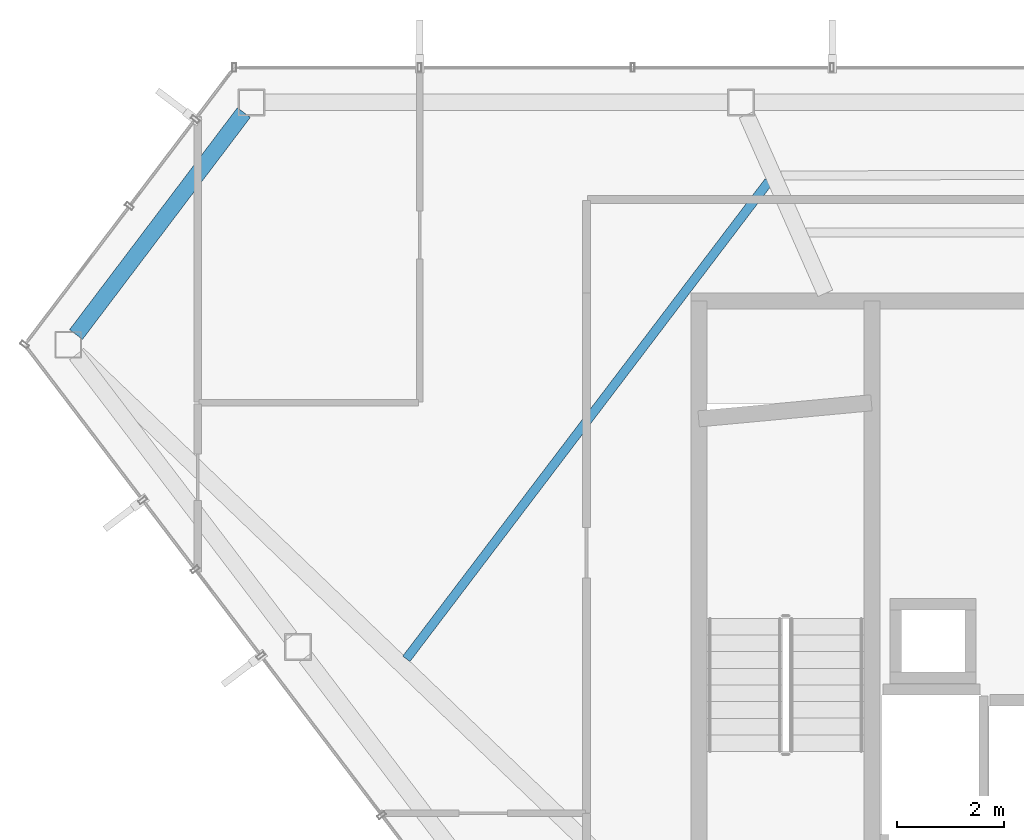
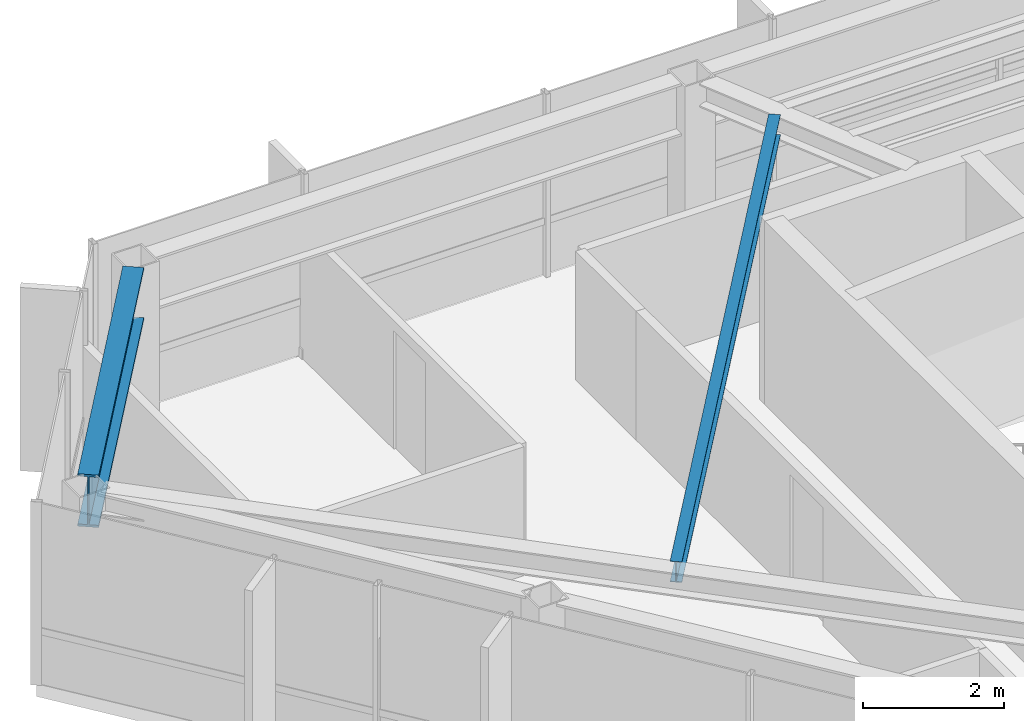
# One storey, part 9 of 24: 2 beams.
"""IFC4 building model written with IfcOpenShell, lengths in metres."""

from ifc_helpers import new_model, si_unit, direction, frame, origin, origin_2d, place, context, subcontext, project, spatial, i_section, extrude, material, material_profile, profile_set, type_object, element, save


model = new_model("IFC4")

# Units and contexts
model_context = context("Model", 3, precision=1e-05, world=origin(), true_north=direction((0.0, 1.0)))
body_context = subcontext(model_context, "Body", "Model", "MODEL_VIEW")
ifc_project = project(units=[si_unit("LENGTHUNIT", "METRE"), si_unit("AREAUNIT", "SQUARE_METRE"), si_unit("VOLUMEUNIT", "CUBIC_METRE"), si_unit("PLANEANGLEUNIT", "RADIAN"), si_unit("MASSUNIT", "GRAM", prefix="KILO")], contexts=[model_context])

# Site, building, storey
site_placement = place(None, origin())
site = spatial("IfcSite", under=ifc_project, at=site_placement, CompositionType="ELEMENT")
building_placement = place(site_placement, origin())
building = spatial("IfcBuilding", under=site, at=building_placement, Name="Zarrinselat Tower", CompositionType="ELEMENT")
storey_placement = place(building_placement, frame((0.0, 0.0, 268.60009765625)))
storey = spatial("IfcBuildingStorey", under=building, at=storey_placement, Name="L68", CompositionType="ELEMENT", Elevation=268.60009765625)

# Beams
ifc_material_1 = material(Name="Steel S460M", Category="steel")
ifc_material_profile_1 = material_profile(ifc_material_1, i_section(OverallWidth=0.302001953125, OverallDepth=0.909912109375, WebThickness=0.02099609375, FlangeThickness=0.0400390625, at=origin_2d()), Name="HEM 900")
ifc_profile_set_1 = profile_set([ifc_material_profile_1], Name="Steel S460M")
beam_type_1 = type_object("IfcBeamType", Name="BM-HEM900", PredefinedType="BEAM", material=ifc_profile_set_1)
beam_1_placement = place(storey_placement, frame((17.0341796875, 42.77197265625, 2.724853515625), z_axis=(0.603172535028, 0.797610740266, 0.0), x_axis=(-0.797610740266, 0.603172535028, 0.0)))
element("IfcBeam", 1, at=beam_1_placement, inside=storey, type_object=beam_type_1, Name="L68 Perimeter Spandrel Girder SP05", PredefinedType="BEAM", context=body_context, shape_type="SweptSolid", body=[
    extrude(i_section(OverallWidth=0.302001953125, OverallDepth=0.909912109375, WebThickness=0.02099609375, FlangeThickness=0.0400390625, at=origin_2d()), origin(), (0.0, 0.0, 1.0), 5.188232421875),
])
ifc_material_2 = material(Name="Steel S355J2", Category="steel")
ifc_material_profile_2 = material_profile(ifc_material_2, i_section(OverallWidth=0.169921875, OverallDepth=0.360107421875, WebThickness=0.008056640625, FlangeThickness=0.0126953125, at=origin_2d()), Name="IPE 360")
ifc_profile_set_2 = profile_set([ifc_material_profile_2], Name="Steel S355J2")
beam_type_2 = type_object("IfcBeamType", Name="BM-IPE360", PredefinedType="JOIST", material=ifc_profile_set_2)
beam_2_placement = place(storey_placement, frame((23.191162109375, 36.727294921875, 3.0), z_axis=(0.604678180667, 0.796469897627, 0.0), x_axis=(-0.796469897627, 0.604678180667, 0.0)))
element("IfcBeam", 2, at=beam_2_placement, inside=storey, type_object=beam_type_2, Name="L68 Composite Floor Joist 9-1", PredefinedType="JOIST", context=body_context, shape_type="SweptSolid", body=[
    extrude(i_section(OverallWidth=0.169921875, OverallDepth=0.360107421875, WebThickness=0.008056640625, FlangeThickness=0.0126953125, at=origin_2d()), origin(), (0.0, 0.0, 1.0), 11.172607421875),
])

save(model, "model.ifc")
